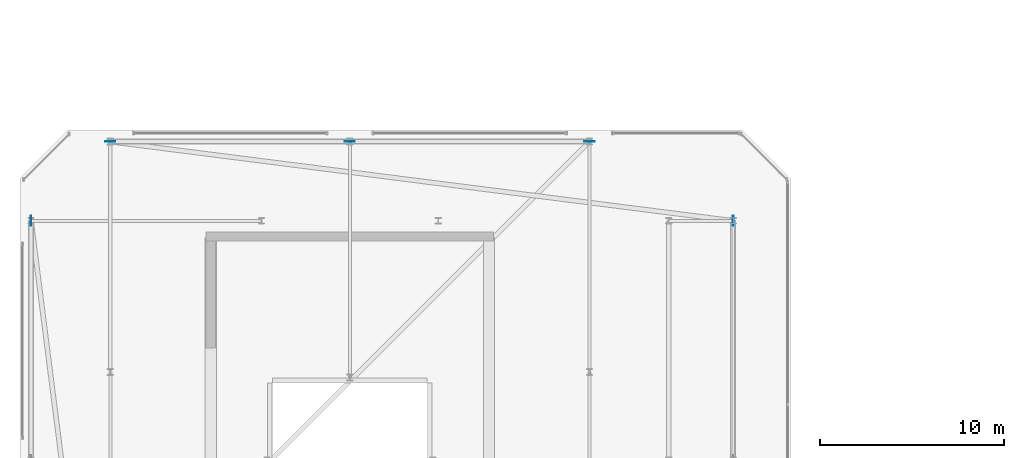
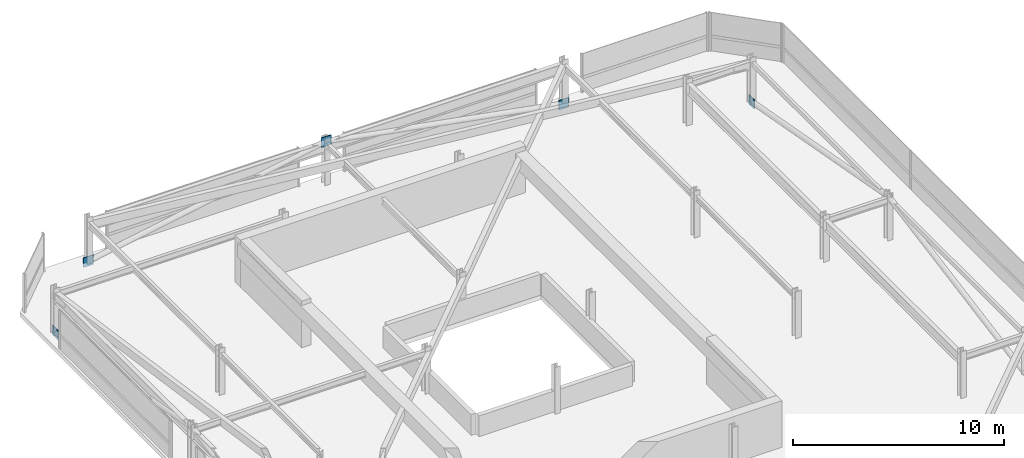
# One storey, part 40 of 42: 5 plates.
"""IFC4 building model written with IfcOpenShell, lengths in metres."""

from ifc_helpers import new_model, si_unit, direction, frame, origin, origin_2d, place, context, subcontext, project, spatial, rectangle, extrude, material, layer, layer_set, type_object, element, save


model = new_model("IFC4")

# Units and contexts
model_context = context("Model", 3, precision=1e-05, world=origin(), true_north=direction((0.0, 1.0)))
body_context = subcontext(model_context, "Body", "Model", "MODEL_VIEW")
ifc_project = project(units=[si_unit("LENGTHUNIT", "METRE"), si_unit("AREAUNIT", "SQUARE_METRE"), si_unit("VOLUMEUNIT", "CUBIC_METRE"), si_unit("PLANEANGLEUNIT", "RADIAN"), si_unit("MASSUNIT", "GRAM", prefix="KILO")], contexts=[model_context])

# Site, building, storey
site_placement = place(None, origin())
site = spatial("IfcSite", under=ifc_project, at=site_placement, CompositionType="ELEMENT")
building_placement = place(site_placement, origin())
building = spatial("IfcBuilding", under=site, at=building_placement, Name="Thornwick Lancets Civic Towers", CompositionType="ELEMENT")
storey_placement = place(building_placement, frame((0.0, 0.0, 289.5)))
storey = spatial("IfcBuildingStorey", under=building, at=storey_placement, Name="C04", CompositionType="ELEMENT", Elevation=289.5)

# Plates
ifc_material = material(Name="Steel S460M", Category="steel")
ifc_layer = layer(ifc_material, 0.0400390625, Name="Steel S460M")
ifc_layer_set = layer_set([ifc_layer], Name="Steel S460M")
plate_type = type_object("IfcPlateType", Name="PLT_GUSSET_40", PredefinedType="USERDEFINED", material=ifc_layer_set)
for number, where, z_axis, x_axis, name in (
    (1, (46.300048828125, 40.0, -0.22509765625), (0.0, 0.0, 1.0), (0.0, -1.0, 0.0), "C04 Brace Connection Gusset Plate 0514"),
    (2, (12.5, 44.300048828125, -0.22509765625), (0.0, 0.0, 1.0), (1.0, 0.0, 0.0), "C04 Brace Connection Gusset Plate 0515"),
    (3, (25.5, 44.300048828125, 2.1650390625), (0.0, 0.0, 1.0), (1.0, 0.0, 0.0), "C04 Brace Connection Gusset Plate 0516"),
    (4, (38.5, 44.300048828125, -0.22509765625), (0.0, 0.0, 1.0), (-1.0, 0.0, 0.0), "C04 Brace Connection Gusset Plate 0517"),
    (5, (8.199951171875, 40.0, -0.22509765625), (0.0, 0.0, 1.0), (0.0, -1.0, 0.0), "C04 Brace Connection Gusset Plate 0520"),
):
    element("IfcPlate", number, at=place(storey_placement, frame(where, z_axis=z_axis, x_axis=x_axis)), inside=storey, type_object=plate_type, Name=name, ObjectType="GUSSET_PLATE", PredefinedType="USERDEFINED", context=body_context, shape_type="SweptSolid", body=[
        extrude(rectangle(XDim=0.550048828125, YDim=0.0400390625, at=origin_2d()), origin(), (0.0, 0.0, 1.0), 0.550048828125),
    ])

save(model, "model.ifc")
